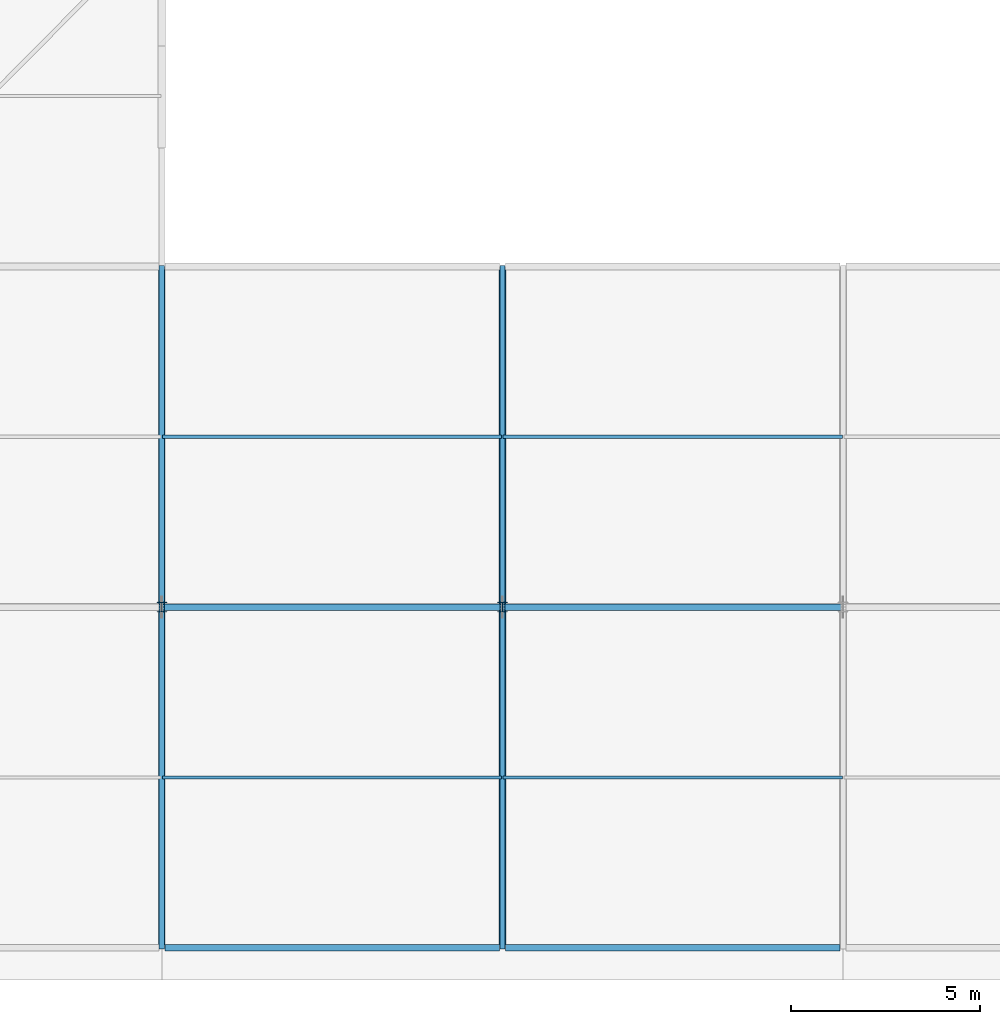
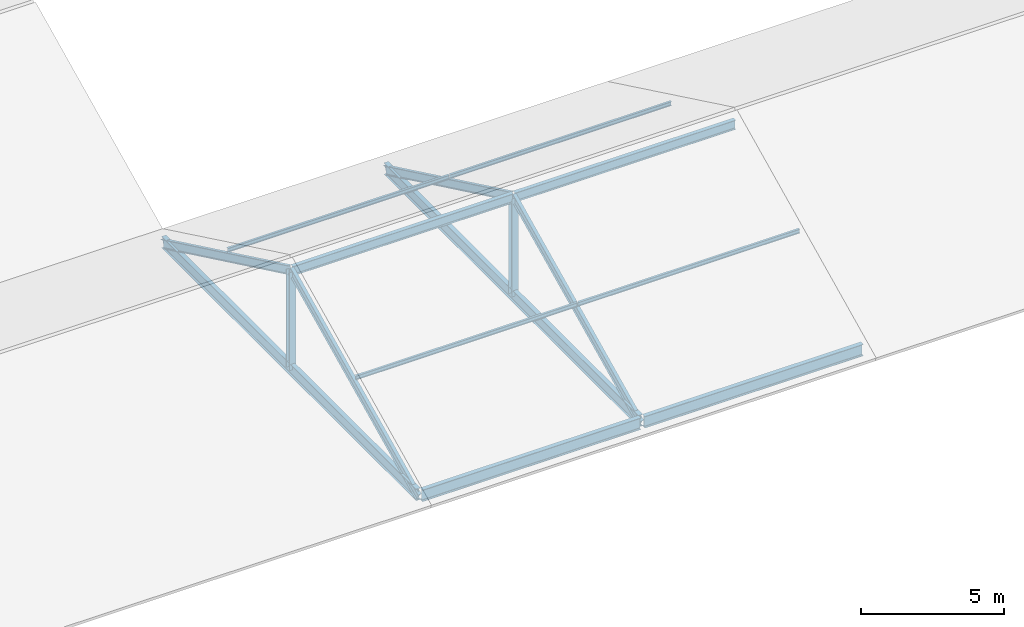
# One storey, part 2 of 9: 12 members, 4 beams.
"""IFC4 building model written with IfcOpenShell, lengths in metres."""

from ifc_helpers import new_model, si_unit, direction, frame, origin, origin_2d, place, context, subcontext, project, spatial, i_section, extrude, material, material_profile, profile_set, type_object, element, save


model = new_model("IFC4")

# Units and contexts
model_context = context("Model", 3, precision=1e-05, world=origin(), true_north=direction((0.0, 1.0)))
body_context = subcontext(model_context, "Body", "Model", "MODEL_VIEW")
ifc_project = project(units=[si_unit("LENGTHUNIT", "METRE"), si_unit("AREAUNIT", "SQUARE_METRE"), si_unit("VOLUMEUNIT", "CUBIC_METRE"), si_unit("PLANEANGLEUNIT", "RADIAN"), si_unit("MASSUNIT", "GRAM", prefix="KILO")], contexts=[model_context])

# Site, building, storey
site_placement = place(None, origin())
site = spatial("IfcSite", under=ifc_project, at=site_placement, CompositionType="ELEMENT")
building_placement = place(site_placement, origin())
building = spatial("IfcBuilding", under=site, at=building_placement, Name="Tharagai Park Tramway Depot", CompositionType="ELEMENT")
storey_placement = place(building_placement, frame((0.0, 0.0, 18.0)))
storey = spatial("IfcBuildingStorey", under=building, at=storey_placement, Name="RF", CompositionType="ELEMENT", Elevation=18.0)

# Beams
ifc_material_1 = material(Name="Steel E350", Category="steel")
ifc_material_profile_1 = material_profile(ifc_material_1, i_section(OverallWidth=0.179931640625, OverallDepth=0.5, WebThickness=0.01025390625, FlangeThickness=0.01708984375, FilletRadius=0.01708984375, at=origin_2d()), Name="ISMB 500")
ifc_profile_set_1 = profile_set([ifc_material_profile_1], Name="Steel E350")
beam_type = type_object("IfcBeamType", Name="BM-18", PredefinedType="BEAM", material=ifc_profile_set_1)
for number, where, z_axis, x_axis, name in (
    (1, (18.080078125, 0.0, -0.5), (1.0, 0.0, 0.0), (0.0, 1.0, 0.0), "V4S Roof Eave Girder BM-18"),
    (2, (27.080078125, 0.0, -0.5), (1.0, 0.0, 0.0), (0.0, 1.0, 0.0), "V4S Roof Eave Girder BM-18"),
):
    element("IfcBeam", number, at=place(storey_placement, frame(where, z_axis=z_axis, x_axis=x_axis)), inside=storey, type_object=beam_type, Name=name, PredefinedType="BEAM", context=body_context, shape_type="SweptSolid", body=[
        extrude(i_section(OverallWidth=0.179931640625, OverallDepth=0.5, WebThickness=0.01025390625, FlangeThickness=0.01708984375, FilletRadius=0.01708984375, at=origin_2d()), origin(), (0.0, 0.0, 1.0), 8.83984375),
    ])
for number, where, z_axis, x_axis, name in (
    (3, (18.0, 0.080078125, -0.5), (0.0, 1.0, 0.0), (-1.0, 0.0, 0.0), "V4S Gable Tie Girder BM-18"),
    (4, (27.0, 0.080078125, -0.5), (0.0, 1.0, 0.0), (-1.0, 0.0, 0.0), "V4S Gable Tie Girder BM-18"),
):
    element("IfcBeam", number, at=place(storey_placement, frame(where, z_axis=z_axis, x_axis=x_axis)), inside=storey, type_object=beam_type, Name=name, PredefinedType="BEAM", context=body_context, shape_type="SweptSolid", body=[
        extrude(i_section(OverallWidth=0.179931640625, OverallDepth=0.5, WebThickness=0.01025390625, FlangeThickness=0.01708984375, FilletRadius=0.01708984375, at=origin_2d()), origin(), (0.0, 0.0, 1.0), 17.83984375),
    ])

# Members
ifc_material_profile_2 = material_profile(ifc_material_1, i_section(OverallWidth=0.25, OverallDepth=0.25, WebThickness=0.0087890625, FlangeThickness=0.009765625, FilletRadius=0.010009765625, at=origin_2d()), Name="ISHB 250")
ifc_profile_set_2 = profile_set([ifc_material_profile_2], Name="Steel E350")
member_type_1 = type_object("IfcMemberType", Name="BR-01", PredefinedType="BRACE", material=ifc_profile_set_2)
for number, where, z_axis, x_axis, name in (
    (5, (18.0, 9.0, -0.5), (0.0, 0.0, 1.0), (1.0, 0.0, 0.0), "V4S Gable King Strut BR-01"),
    (6, (27.0, 9.0, -0.5), (0.0, 0.0, 1.0), (1.0, 0.0, 0.0), "V4S Gable King Strut BR-01"),
):
    element("IfcMember", number, at=place(storey_placement, frame(where, z_axis=z_axis, x_axis=x_axis)), inside=storey, type_object=member_type_1, Name=name, PredefinedType="BRACE", context=body_context, shape_type="SweptSolid", body=[
        extrude(i_section(OverallWidth=0.25, OverallDepth=0.25, WebThickness=0.0087890625, FlangeThickness=0.009765625, FilletRadius=0.010009765625, at=origin_2d()), origin(), (0.0, 0.0, 1.0), 4.190185546875),
    ])
ifc_material_2 = material(Name="Steel E250", Category="steel")
ifc_material_profile_3 = material_profile(ifc_material_2, i_section(OverallWidth=0.090087890625, OverallDepth=0.175048828125, WebThickness=0.005615234375, FlangeThickness=0.009033203125, FilletRadius=0.010009765625, at=origin_2d()), Name="ISMB 175")
ifc_profile_set_3 = profile_set([ifc_material_profile_3], Name="Steel E250")
member_type_2 = type_object("IfcMemberType", Name="PR-01", PredefinedType="PURLIN", material=ifc_profile_set_3)
for number, where, z_axis, x_axis, name in (
    (7, (18.02001953125, 4.5, 1.811279296875), (1.0, 0.0, 0.0), (0.0, 1.0, 0.0), "V4S Roof Purlin PR-01"),
    (8, (18.02001953125, 13.5, 1.811279296875), (1.0, 0.0, 0.0), (0.0, 1.0, 0.0), "V4S Roof Purlin PR-01"),
    (9, (27.02001953125, 4.5, 1.811279296875), (1.0, 0.0, 0.0), (0.0, 1.0, 0.0), "V4S Roof Purlin PR-01"),
    (10, (27.02001953125, 13.5, 1.811279296875), (1.0, 0.0, 0.0), (0.0, 1.0, 0.0), "V4S Roof Purlin PR-01"),
):
    element("IfcMember", number, at=place(storey_placement, frame(where, z_axis=z_axis, x_axis=x_axis)), inside=storey, type_object=member_type_2, Name=name, PredefinedType="PURLIN", context=body_context, shape_type="SweptSolid", body=[
        extrude(i_section(OverallWidth=0.090087890625, OverallDepth=0.175048828125, WebThickness=0.005615234375, FlangeThickness=0.009033203125, FilletRadius=0.010009765625, at=origin_2d()), origin(), (0.0, 0.0, 1.0), 8.9599609375),
    ])
ifc_material_profile_4 = material_profile(ifc_material_1, i_section(OverallWidth=0.139892578125, OverallDepth=0.35009765625, WebThickness=0.008056640625, FlangeThickness=0.01416015625, FilletRadius=0.013916015625, at=origin_2d()), Name="ISMB 350")
ifc_profile_set_4 = profile_set([ifc_material_profile_4], Name="Steel E350")
member_type_3 = type_object("IfcMemberType", Name="RF-01", PredefinedType="RAFTER", material=ifc_profile_set_4)
for number, where, z_axis, x_axis, name in (
    (11, (18.0, 0.050048828125, -0.602783203125), (0.0, 0.901641235071, 0.432484778021), (-1.0, 0.0, 0.0), "V4S Pitched Rafter RF-01 South"),
    (12, (18.0, 9.0, 3.690185546875), (0.0, 0.901641235071, -0.432484778021), (-1.0, 0.0, 0.0), "V4S Pitched Rafter RF-01 North"),
    (13, (27.0, 0.050048828125, -0.602783203125), (0.0, 0.901641235071, 0.432484778021), (-1.0, 0.0, 0.0), "V4S Pitched Rafter RF-01 South"),
    (14, (27.0, 9.0, 3.690185546875), (0.0, 0.901641235071, -0.432484778021), (-1.0, 0.0, 0.0), "V4S Pitched Rafter RF-01 North"),
):
    element("IfcMember", number, at=place(storey_placement, frame(where, z_axis=z_axis, x_axis=x_axis)), inside=storey, type_object=member_type_3, Name=name, PredefinedType="RAFTER", context=body_context, shape_type="SweptSolid", body=[
        extrude(i_section(OverallWidth=0.139892578125, OverallDepth=0.35009765625, WebThickness=0.008056640625, FlangeThickness=0.01416015625, FilletRadius=0.013916015625, at=origin_2d()), origin(), (0.0, 0.0, 1.0), 9.92626953125),
    ])
ifc_material_profile_5 = material_profile(ifc_material_1, i_section(OverallWidth=0.1650390625, OverallDepth=0.39990234375, WebThickness=0.008056640625, FlangeThickness=0.012451171875, FilletRadius=0.013916015625, at=origin_2d()), Name="ISLB 400")
ifc_profile_set_5 = profile_set([ifc_material_profile_5], Name="Steel E350")
member_type_4 = type_object("IfcMemberType", Name="TC-04", PredefinedType="CHORD", material=ifc_profile_set_5)
for number, where, z_axis, x_axis, name in (
    (15, (18.0400390625, 9.0, 3.6650390625), (1.0, 0.0, 0.0), (0.0, 1.0, 0.0), "V4S Roof Ridge Chord TC-04"),
    (16, (27.0400390625, 9.0, 3.6650390625), (1.0, 0.0, 0.0), (0.0, 1.0, 0.0), "V4S Roof Ridge Chord TC-04"),
):
    element("IfcMember", number, at=place(storey_placement, frame(where, z_axis=z_axis, x_axis=x_axis)), inside=storey, type_object=member_type_4, Name=name, PredefinedType="CHORD", context=body_context, shape_type="SweptSolid", body=[
        extrude(i_section(OverallWidth=0.1650390625, OverallDepth=0.39990234375, WebThickness=0.008056640625, FlangeThickness=0.012451171875, FilletRadius=0.013916015625, at=origin_2d()), origin(), (0.0, 0.0, 1.0), 8.919921875),
    ])

save(model, "model.ifc")
